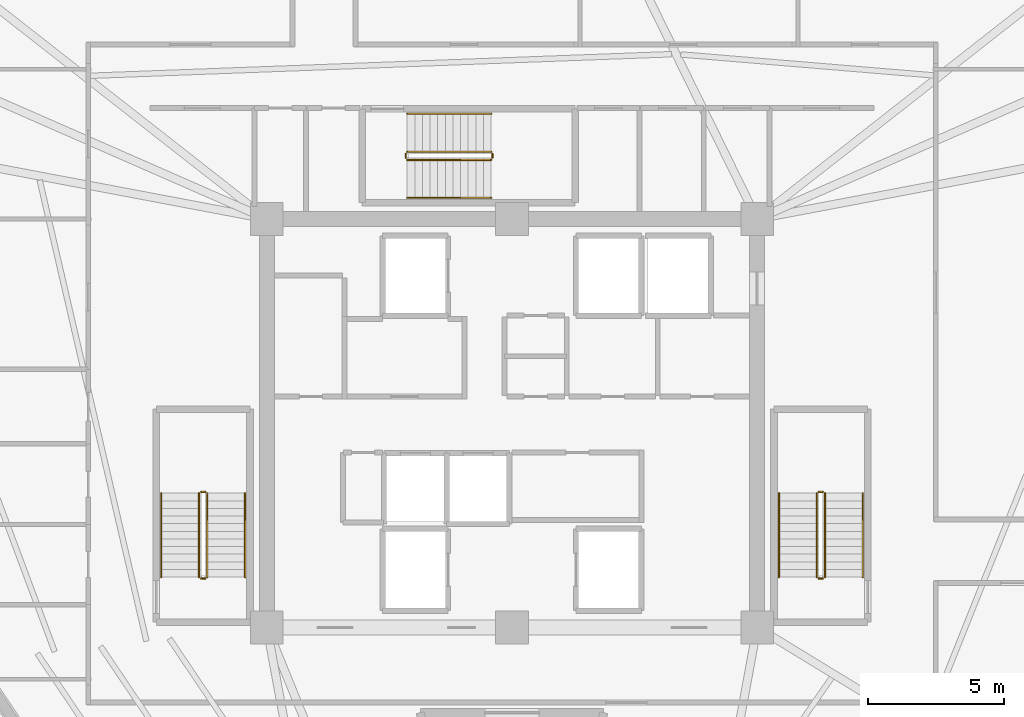
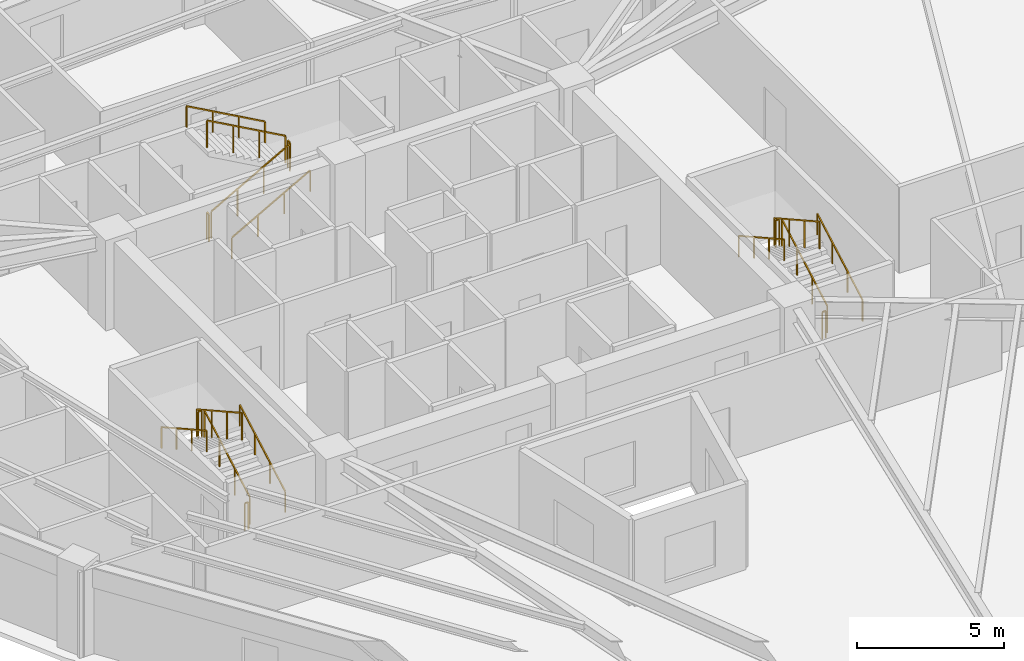
# One storey, part 8 of 8: 18 railings.
"""IFC4 building model written with IfcOpenShell, lengths in metres."""

import ifcopenshell
import ifcopenshell.guid

model = None  # the IFC model being written
_history = None  # IfcOwnerHistory: only IFC2X3 demands one
_inside = {}  # id of a spatial element -> (the spatial element, [elements in it])
_under = {}  # id of a project, library or spatial element -> (it, [spatial elements below it])
_declared = {}  # id of a project -> (the project, [libraries it declares])
_typed = {}  # id of a type object -> (the type object, [elements of that type])
_made_of = {}  # id of a material, layer set ... -> (it, [elements and type objects made of it])


def new_model(schema):
    """Start an empty IFC model of exactly this schema.

    Asked for "IFC4X3", IfcOpenShell would pick the latest addendum, in which some entities
    have other attributes; the version numbers below select the first issue.
    IFC2X3 requires an IfcOwnerHistory on every rooted entity: one is made here for all.
    """
    global model, _history
    if schema == "IFC4X3":
        model = ifcopenshell.file(schema_version=(4, 3, 0, 0))
    else:
        model = ifcopenshell.file(schema=schema)
    _inside.clear()
    _under.clear()
    _declared.clear()
    _typed.clear()
    _made_of.clear()
    _history = None
    if model.schema == "IFC2X3":
        org = make("IfcOrganization", Name="unknown")
        user = make(
            "IfcPersonAndOrganization",
            ThePerson=make("IfcPerson", FamilyName="unknown"),
            TheOrganization=org,
        )
        app = make(
            "IfcApplication",
            ApplicationDeveloper=org,
            Version="unknown",
            ApplicationFullName="unknown",
            ApplicationIdentifier="unknown",
        )
        _history = make(
            "IfcOwnerHistory",
            OwningUser=user,
            OwningApplication=app,
            ChangeAction="ADDED",
            CreationDate=0,
        )
    return model


def make(cls, **values):
    """One entity of the class cls with the attributes given. An attribute that is None is left unset."""
    return model.create_entity(
        cls, **{name: value for name, value in values.items() if value is not None}
    )


def rooted(cls, **values):
    """An entity with a GlobalId (a new one), such as an element, a storey or a relation."""
    return make(cls, GlobalId=ifcopenshell.guid.new(), OwnerHistory=_history, **values)


def si_unit(unit_type, name, prefix=None):
    """IfcSIUnit, for example si_unit("LENGTHUNIT", "METRE", prefix="MILLI")."""
    return make("IfcSIUnit", UnitType=unit_type, Prefix=prefix, Name=name)


def assignment(units):
    """IfcUnitAssignment: the units of a project."""
    return None if units is None else make("IfcUnitAssignment", Units=units)


def point(xyz):
    """IfcCartesianPoint."""
    return None if xyz is None else make("IfcCartesianPoint", Coordinates=xyz)


def direction(xyz):
    """IfcDirection."""
    return None if xyz is None else make("IfcDirection", DirectionRatios=xyz)


def frame(location, z_axis=None, x_axis=None):
    """IfcAxis2Placement3D, a coordinate frame: its origin and axes. An axis left out is left unset."""
    return make(
        "IfcAxis2Placement3D",
        Location=point(location),
        Axis=direction(z_axis),
        RefDirection=direction(x_axis),
    )


def frame_2d(location, x_axis=None):
    """IfcAxis2Placement2D, a coordinate frame in the plane: its origin and x axis."""
    return make(
        "IfcAxis2Placement2D", Location=point(location), RefDirection=direction(x_axis)
    )


def origin():
    """The frame at (0, 0, 0) with its axes left unset."""
    return frame((0.0, 0.0, 0.0))


def origin_2d():
    """The frame at (0, 0) in the plane with its x axis left unset."""
    return frame_2d((0.0, 0.0))


def place(relative_to, where):
    """IfcLocalPlacement: puts the frame where relative to a parent placement (None: the world)."""
    return make(
        "IfcLocalPlacement", PlacementRelTo=relative_to, RelativePlacement=where
    )


def context(
    kind, dimensions, precision=None, world=None, true_north=None, identifier=None
):
    """IfcGeometricRepresentationContext, for example the 3D "Model" context."""
    return make(
        "IfcGeometricRepresentationContext",
        ContextIdentifier=identifier,
        ContextType=kind,
        CoordinateSpaceDimension=dimensions,
        Precision=precision,
        WorldCoordinateSystem=world,
        TrueNorth=true_north,
    )


def subcontext(parent, identifier, kind, view, scale=None):
    """IfcGeometricRepresentationSubContext, for example "Body" below "Model"."""
    return make(
        "IfcGeometricRepresentationSubContext",
        ContextIdentifier=identifier,
        ContextType=kind,
        ParentContext=parent,
        TargetScale=scale,
        TargetView=view,
    )


def project(units=None, contexts=None):
    """IfcProject with its units and contexts."""
    return rooted(
        "IfcProject",
        Name="project",
        RepresentationContexts=contexts,
        UnitsInContext=assignment(units),
    )


def spatial(cls, under=None, at=None, **own):
    """A site, building, storey or space (cls), placed at a placement, below another one or the project."""
    s = rooted(cls, ObjectPlacement=at, **own)
    if under is not None:
        _under.setdefault(under.id(), (under, []))[1].append(s)
    return s


def profile(cls, at=None, kind="AREA", **sizes):
    """A parametric profile (cls). Its sizes go by their IFC names, for example OverallWidth=200.0."""
    return make(cls, ProfileType=kind, Position=at, **sizes)


def rectangle(**sizes):
    """IfcRectangleProfileDef."""
    return profile("IfcRectangleProfileDef", **sizes)


def extrude(swept, where, along, depth):
    """IfcExtrudedAreaSolid: the profile swept, set in the frame where, extruded along a direction by depth."""
    return make(
        "IfcExtrudedAreaSolid",
        SweptArea=swept,
        Position=where,
        ExtrudedDirection=direction(along),
        Depth=depth,
    )


def shape(context_of_items, identifier, shape_type, items):
    """IfcShapeRepresentation: the items that make up one representation, for example the "Body"."""
    return make(
        "IfcShapeRepresentation",
        ContextOfItems=context_of_items,
        RepresentationIdentifier=identifier,
        RepresentationType=shape_type,
        Items=items,
    )


def material(Name=None, Category=None):
    """IfcMaterial."""
    return make("IfcMaterial", Name=Name, Category=Category)


def made_of(thing, what):
    """Note that an element or type object is made of a material, layer set ...; save() writes the relation."""
    if what is not None:
        _made_of.setdefault(what.id(), (what, []))[1].append(thing)
    return thing


def type_object(cls, material=None, **own):
    """A type object (cls), such as IfcWallType, which elements share."""
    return made_of(rooted(cls, **own), material)


def element(
    cls,
    number,
    at=None,
    inside=None,
    cuts=None,
    type_object=None,
    material=None,
    context=None,
    identifier="Body",
    shape_type=None,
    held_by="IfcProductDefinitionShape",
    body=None,
    shapes=None,
    **own,
):
    """One element of the class cls, such as IfcWall. Its Tag is "e" and its number.

    at: its placement. inside: the storey or other place that contains it. cuts: it is an
    opening in that element (IfcRelVoidsElement). A single representation is given by context,
    identifier, shape_type and body (its items); several are given by shapes. held_by: the class
    of the entity that holds the representations. save() writes the other relations.
    """
    e = rooted(cls, Tag="e%d" % number, ObjectPlacement=at, **own)
    if body is not None:
        shapes = [shape(context, identifier, shape_type, body)]
    if shapes is not None:
        e.Representation = make(held_by, Representations=shapes)
    if inside is not None:
        _inside.setdefault(inside.id(), (inside, []))[1].append(e)
    if cuts is not None:
        rooted(
            "IfcRelVoidsElement", RelatingBuildingElement=cuts, RelatedOpeningElement=e
        )
    if type_object is not None:
        _typed.setdefault(type_object.id(), (type_object, []))[1].append(e)
    return made_of(e, material)


def aggregate(whole, parts):
    """IfcRelAggregates: a whole, such as a stair, and the parts it consists of."""
    return rooted("IfcRelAggregates", RelatingObject=whole, RelatedObjects=parts)


def save(model, path):
    """Write the relations noted so far, then the file.

    IfcRelAggregates (storeys below a building ...), IfcRelContainedInSpatialStructure (elements
    in a storey), IfcRelDefinesByType, IfcRelAssociatesMaterial and IfcRelDeclares: one each for
    every whole, place, type object, material and project.
    """
    for whole, parts in _under.values():
        aggregate(whole, parts)
    for where, things in _inside.values():
        rooted(
            "IfcRelContainedInSpatialStructure",
            RelatedElements=things,
            RelatingStructure=where,
        )
    for kind, things in _typed.values():
        rooted("IfcRelDefinesByType", RelatedObjects=things, RelatingType=kind)
    for what, things in _made_of.values():
        rooted("IfcRelAssociatesMaterial", RelatedObjects=things, RelatingMaterial=what)
    for by, libraries in _declared.values():
        rooted("IfcRelDeclares", RelatingContext=by, RelatedDefinitions=libraries)
    model.write(path)


model = new_model("IFC4")

# Units and contexts
model_context = context("Model", 3, precision=1e-05, world=origin(), true_north=direction((0.0, 1.0)))
body_context = subcontext(model_context, "Body", "Model", "MODEL_VIEW")
ifc_project = project(units=[si_unit("LENGTHUNIT", "METRE"), si_unit("AREAUNIT", "SQUARE_METRE"), si_unit("VOLUMEUNIT", "CUBIC_METRE"), si_unit("PLANEANGLEUNIT", "RADIAN"), si_unit("MASSUNIT", "GRAM", prefix="KILO")], contexts=[model_context])

# Site, building, storey
site_placement = place(None, origin())
site = spatial("IfcSite", under=ifc_project, at=site_placement, CompositionType="ELEMENT")
building_placement = place(site_placement, origin())
building = spatial("IfcBuilding", under=site, at=building_placement, Name="Liaohun Quay Tower", CompositionType="ELEMENT")
storey_placement = place(building_placement, frame((0.0, 0.0, 336.0)))
storey = spatial("IfcBuildingStorey", under=building, at=storey_placement, Name="L87", CompositionType="ELEMENT", Elevation=336.0)

# Railings
ifc_material_1 = material(Name="Painted tubular steel", Category="steel")
railing_type_1 = type_object("IfcRailingType", Name="RLG-GUARD-STR", PredefinedType="GUARDRAIL", material=ifc_material_1)
railing_1_placement = place(storey_placement, frame((48.81005859375, 48.35009765625, 0.15625)))
element("IfcRailing", 1, at=railing_1_placement, inside=storey, type_object=railing_type_1, Name="L87 ST-1 stair guard 1", PredefinedType="GUARDRAIL", context=body_context, shape_type="SweptSolid", body=[
    extrude(rectangle(XDim=0.048095703125, YDim=0.048095703125, at=origin_2d()), frame((0.0, 0.0, 1.1259765625), z_axis=(0.0, 0.873225103656, 0.487317061414), x_axis=(-1.0, 0.0, 0.0)), (0.0, 0.0, 1.0), 3.52685546875),
    extrude(rectangle(XDim=0.0419921875, YDim=0.0419921875, at=origin_2d()), origin(), (0.0, 0.0, 1.0), 1.101806640625),
    extrude(rectangle(XDim=0.0419921875, YDim=0.0419921875, at=origin_2d()), frame((0.0, 1.026611328125, 0.572998046875)), (0.0, 0.0, 1.0), 1.101806640625),
    extrude(rectangle(XDim=0.0419921875, YDim=0.0419921875, at=origin_2d()), frame((0.0, 2.05322265625, 1.145751953125)), (0.0, 0.0, 1.0), 1.101806640625),
    extrude(rectangle(XDim=0.0419921875, YDim=0.0419921875, at=origin_2d()), frame((0.0, 3.079833984375, 1.71875)), (0.0, 0.0, 1.0), 1.101806640625),
])
railing_2_placement = place(storey_placement, frame((48.72998046875, 51.47998046875, 1.875)))
element("IfcRailing", 2, at=railing_2_placement, inside=storey, type_object=railing_type_1, Name="L87 ST-1 stair guard 2", PredefinedType="GUARDRAIL", context=body_context, shape_type="SweptSolid", body=[
    extrude(rectangle(XDim=0.048095703125, YDim=0.048095703125, at=origin_2d()), frame((0.0, 0.0, 1.1259765625), z_axis=(-1.0, 0.0, 0.0), x_axis=(0.0, -1.0, 0.0)), (0.0, 0.0, 1.0), 0.139892578125),
    extrude(rectangle(XDim=0.0419921875, YDim=0.0419921875, at=origin_2d()), origin(), (0.0, 0.0, 1.0), 1.101806640625),
    extrude(rectangle(XDim=0.0419921875, YDim=0.0419921875, at=origin_2d()), frame((-0.139892578125, 0.0, 0.0)), (0.0, 0.0, 1.0), 1.101806640625),
])
railing_3_placement = place(storey_placement, frame((48.510009765625, 51.429931640625, 2.03125)))
element("IfcRailing", 3, at=railing_3_placement, inside=storey, type_object=railing_type_1, Name="L87 ST-1 stair guard 3", PredefinedType="GUARDRAIL", context=body_context, shape_type="SweptSolid", body=[
    extrude(rectangle(XDim=0.048095703125, YDim=0.048095703125, at=origin_2d()), frame((0.0, 0.0, 1.1259765625), z_axis=(0.0, -0.873225103656, 0.487317061414), x_axis=(1.0, 0.0, 0.0)), (0.0, 0.0, 1.0), 3.52685546875),
    extrude(rectangle(XDim=0.0419921875, YDim=0.0419921875, at=origin_2d()), origin(), (0.0, 0.0, 1.0), 1.101806640625),
    extrude(rectangle(XDim=0.0419921875, YDim=0.0419921875, at=origin_2d()), frame((0.0, -1.026611328125, 0.572998046875)), (0.0, 0.0, 1.0), 1.101806640625),
    extrude(rectangle(XDim=0.0419921875, YDim=0.0419921875, at=origin_2d()), frame((0.0, -2.05322265625, 1.145751953125)), (0.0, 0.0, 1.0), 1.101806640625),
    extrude(rectangle(XDim=0.0419921875, YDim=0.0419921875, at=origin_2d()), frame((0.0, -3.079833984375, 1.71875)), (0.0, 0.0, 1.0), 1.101806640625),
])
railing_4_placement = place(storey_placement, frame((48.72998046875, 48.300048828125, 0.0)))
element("IfcRailing", 4, at=railing_4_placement, inside=storey, type_object=railing_type_1, Name="L87 ST-1 stair guard 4", PredefinedType="GUARDRAIL", context=body_context, shape_type="SweptSolid", body=[
    extrude(rectangle(XDim=0.048095703125, YDim=0.048095703125, at=origin_2d()), frame((0.0, 0.0, 1.1259765625), z_axis=(-1.0, 0.0, 0.0), x_axis=(0.0, -1.0, 0.0)), (0.0, 0.0, 1.0), 0.139892578125),
    extrude(rectangle(XDim=0.0419921875, YDim=0.0419921875, at=origin_2d()), origin(), (0.0, 0.0, 1.0), 1.101806640625),
    extrude(rectangle(XDim=0.0419921875, YDim=0.0419921875, at=origin_2d()), frame((-0.139892578125, 0.0, 0.0)), (0.0, 0.0, 1.0), 1.101806640625),
])
railing_5_placement = place(storey_placement, frame((71.489990234375, 48.35009765625, 0.15625)))
element("IfcRailing", 5, at=railing_5_placement, inside=storey, type_object=railing_type_1, Name="L87 ST-2 stair guard 1", PredefinedType="GUARDRAIL", context=body_context, shape_type="SweptSolid", body=[
    extrude(rectangle(XDim=0.048095703125, YDim=0.048095703125, at=origin_2d()), frame((0.0, 0.0, 1.1259765625), z_axis=(0.0, 0.873225103656, 0.487317061414), x_axis=(-1.0, 0.0, 0.0)), (0.0, 0.0, 1.0), 3.52685546875),
    extrude(rectangle(XDim=0.0419921875, YDim=0.0419921875, at=origin_2d()), origin(), (0.0, 0.0, 1.0), 1.101806640625),
    extrude(rectangle(XDim=0.0419921875, YDim=0.0419921875, at=origin_2d()), frame((0.0, 1.026611328125, 0.572998046875)), (0.0, 0.0, 1.0), 1.101806640625),
    extrude(rectangle(XDim=0.0419921875, YDim=0.0419921875, at=origin_2d()), frame((0.0, 2.05322265625, 1.145751953125)), (0.0, 0.0, 1.0), 1.101806640625),
    extrude(rectangle(XDim=0.0419921875, YDim=0.0419921875, at=origin_2d()), frame((0.0, 3.079833984375, 1.71875)), (0.0, 0.0, 1.0), 1.101806640625),
])
railing_6_placement = place(storey_placement, frame((71.409912109375, 51.47998046875, 1.875)))
element("IfcRailing", 6, at=railing_6_placement, inside=storey, type_object=railing_type_1, Name="L87 ST-2 stair guard 2", PredefinedType="GUARDRAIL", context=body_context, shape_type="SweptSolid", body=[
    extrude(rectangle(XDim=0.048095703125, YDim=0.048095703125, at=origin_2d()), frame((0.0, 0.0, 1.1259765625), z_axis=(-1.0, 0.0, 0.0), x_axis=(0.0, -1.0, 0.0)), (0.0, 0.0, 1.0), 0.139892578125),
    extrude(rectangle(XDim=0.0419921875, YDim=0.0419921875, at=origin_2d()), origin(), (0.0, 0.0, 1.0), 1.101806640625),
    extrude(rectangle(XDim=0.0419921875, YDim=0.0419921875, at=origin_2d()), frame((-0.139892578125, 0.0, 0.0)), (0.0, 0.0, 1.0), 1.101806640625),
])
railing_7_placement = place(storey_placement, frame((71.18994140625, 51.429931640625, 2.03125)))
element("IfcRailing", 7, at=railing_7_placement, inside=storey, type_object=railing_type_1, Name="L87 ST-2 stair guard 3", PredefinedType="GUARDRAIL", context=body_context, shape_type="SweptSolid", body=[
    extrude(rectangle(XDim=0.048095703125, YDim=0.048095703125, at=origin_2d()), frame((0.0, 0.0, 1.1259765625), z_axis=(0.0, -0.873225103656, 0.487317061414), x_axis=(1.0, 0.0, 0.0)), (0.0, 0.0, 1.0), 3.52685546875),
    extrude(rectangle(XDim=0.0419921875, YDim=0.0419921875, at=origin_2d()), origin(), (0.0, 0.0, 1.0), 1.101806640625),
    extrude(rectangle(XDim=0.0419921875, YDim=0.0419921875, at=origin_2d()), frame((0.0, -1.026611328125, 0.572998046875)), (0.0, 0.0, 1.0), 1.101806640625),
    extrude(rectangle(XDim=0.0419921875, YDim=0.0419921875, at=origin_2d()), frame((0.0, -2.05322265625, 1.145751953125)), (0.0, 0.0, 1.0), 1.101806640625),
    extrude(rectangle(XDim=0.0419921875, YDim=0.0419921875, at=origin_2d()), frame((0.0, -3.079833984375, 1.71875)), (0.0, 0.0, 1.0), 1.101806640625),
])
railing_8_placement = place(storey_placement, frame((71.409912109375, 48.300048828125, 0.0)))
element("IfcRailing", 8, at=railing_8_placement, inside=storey, type_object=railing_type_1, Name="L87 ST-2 stair guard 4", PredefinedType="GUARDRAIL", context=body_context, shape_type="SweptSolid", body=[
    extrude(rectangle(XDim=0.048095703125, YDim=0.048095703125, at=origin_2d()), frame((0.0, 0.0, 1.1259765625), z_axis=(-1.0, 0.0, 0.0), x_axis=(0.0, -1.0, 0.0)), (0.0, 0.0, 1.0), 0.139892578125),
    extrude(rectangle(XDim=0.0419921875, YDim=0.0419921875, at=origin_2d()), origin(), (0.0, 0.0, 1.0), 1.101806640625),
    extrude(rectangle(XDim=0.0419921875, YDim=0.0419921875, at=origin_2d()), frame((-0.139892578125, 0.0, 0.0)), (0.0, 0.0, 1.0), 1.101806640625),
])
railing_9_placement = place(storey_placement, frame((56.14990234375, 63.669921875, 0.15625)))
element("IfcRailing", 9, at=railing_9_placement, inside=storey, type_object=railing_type_1, Name="L87 ST-3 stair guard 1", PredefinedType="GUARDRAIL", context=body_context, shape_type="SweptSolid", body=[
    extrude(rectangle(XDim=0.048095703125, YDim=0.048095703125, at=origin_2d()), frame((0.0, 0.0, 1.1259765625), z_axis=(0.873241540666, 0.0, 0.487287606713), x_axis=(0.0, 1.0, 0.0)), (0.0, 0.0, 1.0), 3.527099609375),
    extrude(rectangle(XDim=0.0419921875, YDim=0.0419921875, at=origin_2d()), origin(), (0.0, 0.0, 1.0), 1.101806640625),
    extrude(rectangle(XDim=0.0419921875, YDim=0.0419921875, at=origin_2d()), frame((1.026611328125, 0.0, 0.572998046875)), (0.0, 0.0, 1.0), 1.101806640625),
    extrude(rectangle(XDim=0.0419921875, YDim=0.0419921875, at=origin_2d()), frame((2.053466796875, 0.0, 1.145751953125)), (0.0, 0.0, 1.0), 1.101806640625),
    extrude(rectangle(XDim=0.0419921875, YDim=0.0419921875, at=origin_2d()), frame((3.080078125, 0.0, 1.71875)), (0.0, 0.0, 1.0), 1.101806640625),
])
railing_10_placement = place(storey_placement, frame((59.280029296875, 63.75, 1.875)))
element("IfcRailing", 10, at=railing_10_placement, inside=storey, type_object=railing_type_1, Name="L87 ST-3 stair guard 2", PredefinedType="GUARDRAIL", context=body_context, shape_type="SweptSolid", body=[
    extrude(rectangle(XDim=0.048095703125, YDim=0.048095703125, at=origin_2d()), frame((0.0, 0.0, 1.1259765625), z_axis=(0.0, 1.0, 0.0), x_axis=(-1.0, 0.0, 0.0)), (0.0, 0.0, 1.0), 0.139892578125),
    extrude(rectangle(XDim=0.0419921875, YDim=0.0419921875, at=origin_2d()), origin(), (0.0, 0.0, 1.0), 1.101806640625),
    extrude(rectangle(XDim=0.0419921875, YDim=0.0419921875, at=origin_2d()), frame((0.0, 0.139892578125, 0.0)), (0.0, 0.0, 1.0), 1.101806640625),
])
railing_11_placement = place(storey_placement, frame((59.22998046875, 63.969970703125, 2.03125)))
element("IfcRailing", 11, at=railing_11_placement, inside=storey, type_object=railing_type_1, Name="L87 ST-3 stair guard 3", PredefinedType="GUARDRAIL", context=body_context, shape_type="SweptSolid", body=[
    extrude(rectangle(XDim=0.048095703125, YDim=0.048095703125, at=origin_2d()), frame((0.0, 0.0, 1.1259765625), z_axis=(-0.873241540666, 0.0, 0.487287606713), x_axis=(0.0, -1.0, 0.0)), (0.0, 0.0, 1.0), 3.527099609375),
    extrude(rectangle(XDim=0.0419921875, YDim=0.0419921875, at=origin_2d()), origin(), (0.0, 0.0, 1.0), 1.101806640625),
    extrude(rectangle(XDim=0.0419921875, YDim=0.0419921875, at=origin_2d()), frame((-1.026611328125, 0.0, 0.572998046875)), (0.0, 0.0, 1.0), 1.101806640625),
    extrude(rectangle(XDim=0.0419921875, YDim=0.0419921875, at=origin_2d()), frame((-2.053466796875, 0.0, 1.145751953125)), (0.0, 0.0, 1.0), 1.101806640625),
    extrude(rectangle(XDim=0.0419921875, YDim=0.0419921875, at=origin_2d()), frame((-3.080078125, 0.0, 1.71875)), (0.0, 0.0, 1.0), 1.101806640625),
])
railing_12_placement = place(storey_placement, frame((56.10009765625, 63.75, 0.0)))
element("IfcRailing", 12, at=railing_12_placement, inside=storey, type_object=railing_type_1, Name="L87 ST-3 stair guard 4", PredefinedType="GUARDRAIL", context=body_context, shape_type="SweptSolid", body=[
    extrude(rectangle(XDim=0.048095703125, YDim=0.048095703125, at=origin_2d()), frame((0.0, 0.0, 1.1259765625), z_axis=(0.0, 1.0, 0.0), x_axis=(-1.0, 0.0, 0.0)), (0.0, 0.0, 1.0), 0.139892578125),
    extrude(rectangle(XDim=0.0419921875, YDim=0.0419921875, at=origin_2d()), origin(), (0.0, 0.0, 1.0), 1.101806640625),
    extrude(rectangle(XDim=0.0419921875, YDim=0.0419921875, at=origin_2d()), frame((0.0, 0.139892578125, 0.0)), (0.0, 0.0, 1.0), 1.101806640625),
])
ifc_material_2 = material(Name="Brushed stainless steel", Category="steel")
railing_type_2 = type_object("IfcRailingType", Name="RLG-HND-STR", PredefinedType="HANDRAIL", material=ifc_material_2)
railing_13_placement = place(storey_placement, frame((50.199951171875, 48.35009765625, 0.15625)))
element("IfcRailing", 13, at=railing_13_placement, inside=storey, type_object=railing_type_2, Name="L87 ST-1 stair handrail 1", PredefinedType="HANDRAIL", context=body_context, shape_type="SweptSolid", body=[
    extrude(rectangle(XDim=0.048095703125, YDim=0.048095703125, at=origin_2d()), frame((0.0, 0.0, 0.8759765625), z_axis=(0.0, 0.873225103656, 0.487317061414), x_axis=(-1.0, 0.0, 0.0)), (0.0, 0.0, 1.0), 3.52685546875),
    extrude(rectangle(XDim=0.0419921875, YDim=0.0419921875, at=origin_2d()), origin(), (0.0, 0.0, 1.0), 0.851806640625),
    extrude(rectangle(XDim=0.0419921875, YDim=0.0419921875, at=origin_2d()), frame((0.0, 1.026611328125, 0.572998046875)), (0.0, 0.0, 1.0), 0.851806640625),
    extrude(rectangle(XDim=0.0419921875, YDim=0.0419921875, at=origin_2d()), frame((0.0, 2.05322265625, 1.145751953125)), (0.0, 0.0, 1.0), 0.851806640625),
    extrude(rectangle(XDim=0.0419921875, YDim=0.0419921875, at=origin_2d()), frame((0.0, 3.079833984375, 1.71875)), (0.0, 0.0, 1.0), 0.851806640625),
])
railing_14_placement = place(storey_placement, frame((47.1201171875, 51.429931640625, 2.03125)))
element("IfcRailing", 14, at=railing_14_placement, inside=storey, type_object=railing_type_2, Name="L87 ST-1 stair handrail 2", PredefinedType="HANDRAIL", context=body_context, shape_type="SweptSolid", body=[
    extrude(rectangle(XDim=0.048095703125, YDim=0.048095703125, at=origin_2d()), frame((0.0, 0.0, 0.8759765625), z_axis=(0.0, -0.873225103656, 0.487317061414), x_axis=(1.0, 0.0, 0.0)), (0.0, 0.0, 1.0), 3.52685546875),
    extrude(rectangle(XDim=0.0419921875, YDim=0.0419921875, at=origin_2d()), origin(), (0.0, 0.0, 1.0), 0.851806640625),
    extrude(rectangle(XDim=0.0419921875, YDim=0.0419921875, at=origin_2d()), frame((0.0, -1.026611328125, 0.572998046875)), (0.0, 0.0, 1.0), 0.851806640625),
    extrude(rectangle(XDim=0.0419921875, YDim=0.0419921875, at=origin_2d()), frame((0.0, -2.05322265625, 1.145751953125)), (0.0, 0.0, 1.0), 0.851806640625),
    extrude(rectangle(XDim=0.0419921875, YDim=0.0419921875, at=origin_2d()), frame((0.0, -3.079833984375, 1.71875)), (0.0, 0.0, 1.0), 0.851806640625),
])
railing_15_placement = place(storey_placement, frame((72.8798828125, 48.35009765625, 0.15625)))
element("IfcRailing", 15, at=railing_15_placement, inside=storey, type_object=railing_type_2, Name="L87 ST-2 stair handrail 1", PredefinedType="HANDRAIL", context=body_context, shape_type="SweptSolid", body=[
    extrude(rectangle(XDim=0.048095703125, YDim=0.048095703125, at=origin_2d()), frame((0.0, 0.0, 0.8759765625), z_axis=(0.0, 0.873225103656, 0.487317061414), x_axis=(-1.0, 0.0, 0.0)), (0.0, 0.0, 1.0), 3.52685546875),
    extrude(rectangle(XDim=0.0419921875, YDim=0.0419921875, at=origin_2d()), origin(), (0.0, 0.0, 1.0), 0.851806640625),
    extrude(rectangle(XDim=0.0419921875, YDim=0.0419921875, at=origin_2d()), frame((0.0, 1.026611328125, 0.572998046875)), (0.0, 0.0, 1.0), 0.851806640625),
    extrude(rectangle(XDim=0.0419921875, YDim=0.0419921875, at=origin_2d()), frame((0.0, 2.05322265625, 1.145751953125)), (0.0, 0.0, 1.0), 0.851806640625),
    extrude(rectangle(XDim=0.0419921875, YDim=0.0419921875, at=origin_2d()), frame((0.0, 3.079833984375, 1.71875)), (0.0, 0.0, 1.0), 0.851806640625),
])
railing_16_placement = place(storey_placement, frame((69.800048828125, 51.429931640625, 2.03125)))
element("IfcRailing", 16, at=railing_16_placement, inside=storey, type_object=railing_type_2, Name="L87 ST-2 stair handrail 2", PredefinedType="HANDRAIL", context=body_context, shape_type="SweptSolid", body=[
    extrude(rectangle(XDim=0.048095703125, YDim=0.048095703125, at=origin_2d()), frame((0.0, 0.0, 0.8759765625), z_axis=(0.0, -0.873225103656, 0.487317061414), x_axis=(1.0, 0.0, 0.0)), (0.0, 0.0, 1.0), 3.52685546875),
    extrude(rectangle(XDim=0.0419921875, YDim=0.0419921875, at=origin_2d()), origin(), (0.0, 0.0, 1.0), 0.851806640625),
    extrude(rectangle(XDim=0.0419921875, YDim=0.0419921875, at=origin_2d()), frame((0.0, -1.026611328125, 0.572998046875)), (0.0, 0.0, 1.0), 0.851806640625),
    extrude(rectangle(XDim=0.0419921875, YDim=0.0419921875, at=origin_2d()), frame((0.0, -2.05322265625, 1.145751953125)), (0.0, 0.0, 1.0), 0.851806640625),
    extrude(rectangle(XDim=0.0419921875, YDim=0.0419921875, at=origin_2d()), frame((0.0, -3.079833984375, 1.71875)), (0.0, 0.0, 1.0), 0.851806640625),
])
railing_17_placement = place(storey_placement, frame((56.14990234375, 62.280029296875, 0.15625)))
element("IfcRailing", 17, at=railing_17_placement, inside=storey, type_object=railing_type_2, Name="L87 ST-3 stair handrail 1", PredefinedType="HANDRAIL", context=body_context, shape_type="SweptSolid", body=[
    extrude(rectangle(XDim=0.048095703125, YDim=0.048095703125, at=origin_2d()), frame((0.0, 0.0, 0.8759765625), z_axis=(0.873241540666, 0.0, 0.487287606713), x_axis=(0.0, 1.0, 0.0)), (0.0, 0.0, 1.0), 3.527099609375),
    extrude(rectangle(XDim=0.0419921875, YDim=0.0419921875, at=origin_2d()), origin(), (0.0, 0.0, 1.0), 0.851806640625),
    extrude(rectangle(XDim=0.0419921875, YDim=0.0419921875, at=origin_2d()), frame((1.026611328125, 0.0, 0.572998046875)), (0.0, 0.0, 1.0), 0.851806640625),
    extrude(rectangle(XDim=0.0419921875, YDim=0.0419921875, at=origin_2d()), frame((2.053466796875, 0.0, 1.145751953125)), (0.0, 0.0, 1.0), 0.851806640625),
    extrude(rectangle(XDim=0.0419921875, YDim=0.0419921875, at=origin_2d()), frame((3.080078125, 0.0, 1.71875)), (0.0, 0.0, 1.0), 0.851806640625),
])
railing_18_placement = place(storey_placement, frame((59.22998046875, 65.360107421875, 2.03125)))
element("IfcRailing", 18, at=railing_18_placement, inside=storey, type_object=railing_type_2, Name="L87 ST-3 stair handrail 2", PredefinedType="HANDRAIL", context=body_context, shape_type="SweptSolid", body=[
    extrude(rectangle(XDim=0.048095703125, YDim=0.048095703125, at=origin_2d()), frame((0.0, 0.0, 0.8759765625), z_axis=(-0.873241540666, 0.0, 0.487287606713), x_axis=(0.0, -1.0, 0.0)), (0.0, 0.0, 1.0), 3.527099609375),
    extrude(rectangle(XDim=0.0419921875, YDim=0.0419921875, at=origin_2d()), origin(), (0.0, 0.0, 1.0), 0.851806640625),
    extrude(rectangle(XDim=0.0419921875, YDim=0.0419921875, at=origin_2d()), frame((-1.026611328125, 0.0, 0.572998046875)), (0.0, 0.0, 1.0), 0.851806640625),
    extrude(rectangle(XDim=0.0419921875, YDim=0.0419921875, at=origin_2d()), frame((-2.053466796875, 0.0, 1.145751953125)), (0.0, 0.0, 1.0), 0.851806640625),
    extrude(rectangle(XDim=0.0419921875, YDim=0.0419921875, at=origin_2d()), frame((-3.080078125, 0.0, 1.71875)), (0.0, 0.0, 1.0), 0.851806640625),
])

save(model, "model.ifc")
